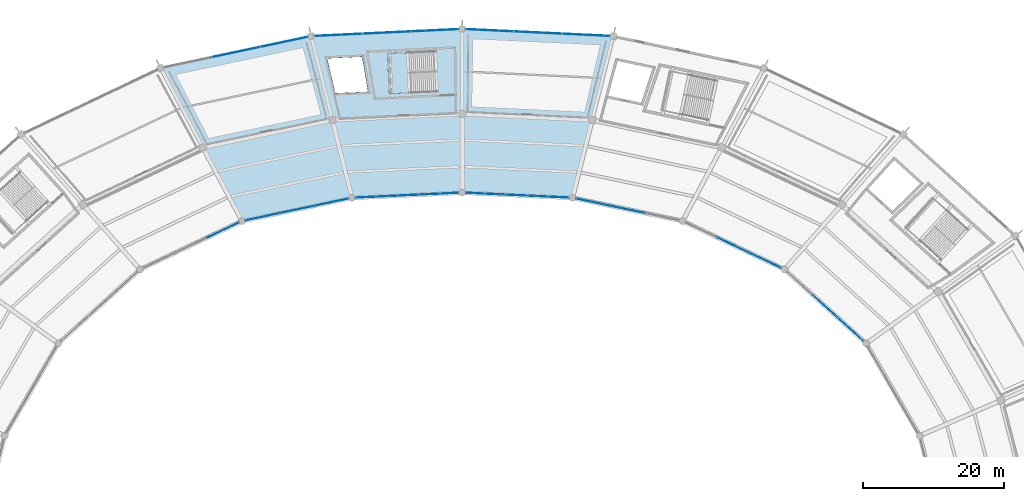
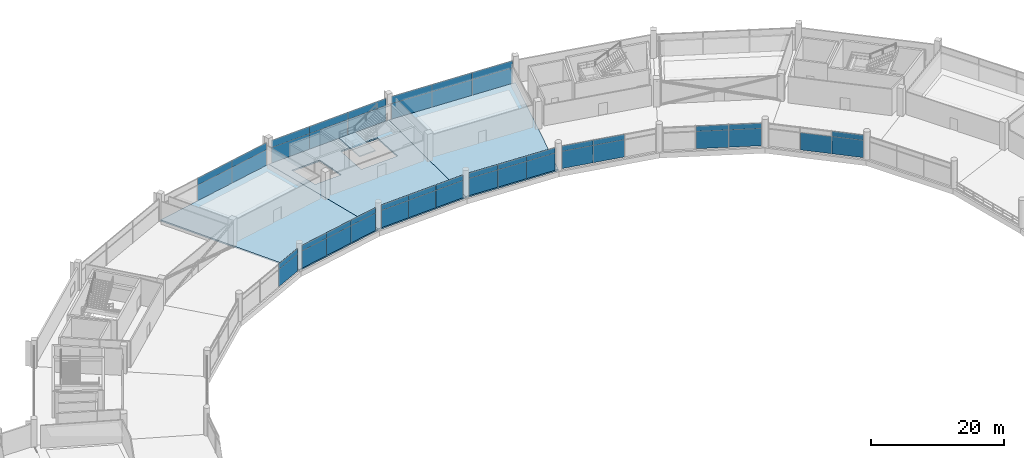
# One storey, part 142 of 184: 47 plates, 4 slabs, 11 elements without a shape of their own.
"""IFC4 building model written with IfcOpenShell, lengths in metres."""

from ifc_helpers import new_model, si_unit, direction, frame, origin, origin_2d, place, context, subcontext, project, spatial, polyline, rectangle, outline, extrude, material, layer, layer_set, type_object, element, aggregate, save


model = new_model("IFC4")

# Units and contexts
model_context = context("Model", 3, precision=1e-05, world=origin(), true_north=direction((0.0, 1.0)))
body_context = subcontext(model_context, "Body", "Model", "MODEL_VIEW")
ifc_project = project(units=[si_unit("LENGTHUNIT", "METRE"), si_unit("AREAUNIT", "SQUARE_METRE"), si_unit("VOLUMEUNIT", "CUBIC_METRE"), si_unit("PLANEANGLEUNIT", "RADIAN"), si_unit("MASSUNIT", "GRAM", prefix="KILO")], contexts=[model_context])

# Site, building, storey
site_placement = place(None, origin())
site = spatial("IfcSite", under=ifc_project, at=site_placement, CompositionType="ELEMENT")
building_placement = place(site_placement, origin())
building = spatial("IfcBuilding", under=site, at=building_placement, Name="Kazemori Nagisa Stadium", CompositionType="ELEMENT")
storey_placement = place(building_placement, frame((0.0, 0.0, 10.5400390625)))
storey = spatial("IfcBuildingStorey", under=building, at=storey_placement, Name="L02", CompositionType="ELEMENT", Elevation=10.5400390625)

# Curtain wall, plate
ifc_material_1 = material(Name="Anodised aluminium 6063-T5", Category="aluminium")
ifc_layer_1 = layer(ifc_material_1, 0.2099609375, Name="Anodised aluminium 6063-T5", Category="aluminium")
ifc_layer_set_1 = layer_set([ifc_layer_1], Name="Anodised aluminium 6063-T5")
curtain_wall_type_1 = type_object("IfcCurtainWallType", Name="CW_L02B_73", PredefinedType="USERDEFINED", material=ifc_layer_set_1)
curtain_wall_1_placement = place(storey_placement, origin())
curtain_wall_1 = element("IfcCurtainWall", 1, at=curtain_wall_1_placement, inside=storey, type_object=curtain_wall_type_1, Name="Unitised curtain wall CW-L02B-73 L02", ObjectType="UNITISED CURTAIN WALL", PredefinedType="USERDEFINED")
ifc_material_2 = material(Name="Anodised aluminium spandrel sheet", Category="aluminium")
ifc_layer_2 = layer(ifc_material_2, 0.044921875, Name="Anodised aluminium spandrel sheet", Category="aluminium")
ifc_layer_set_2 = layer_set([ifc_layer_2], Name="Anodised aluminium spandrel sheet")
plate_type_1 = type_object("IfcPlateType", Name="CWPanel_SPN_L02B_73", PredefinedType="CURTAIN_PANEL", material=ifc_layer_set_2)
plate_1_placement = place(storey_placement, frame((178.10302734375, 145.357666015625, 3.1845703125), z_axis=(0.0, 0.0, 1.0), x_axis=(-0.741350875443, 0.671117634607, 0.0)))
plate_1 = element("IfcPlate", 2, at=plate_1_placement, type_object=plate_type_1, Name="Curtain wall spandrel panel CW-L02B-73-S1", PredefinedType="CURTAIN_PANEL", context=body_context, shape_type="SweptSolid", body=[
    extrude(rectangle(XDim=4.83740234375, YDim=0.044921875, at=origin_2d()), origin(), (0.0, 0.0, 1.0), 1.005615234375),
])

# Curtain wall, plates
curtain_wall_2_placement = place(storey_placement, origin())
curtain_wall_2 = element("IfcCurtainWall", 3, at=curtain_wall_2_placement, inside=storey, type_object=curtain_wall_type_1, Name="Unitised curtain wall CW-L02B-73 L02", ObjectType="UNITISED CURTAIN WALL", PredefinedType="USERDEFINED")
plate_2_placement = place(storey_placement, frame((135.678955078125, 164.180419921875, 3.1845703125), z_axis=(0.0, 0.0, 1.0), x_axis=(-0.998884022476, 0.047230388971, 0.0)))
plate_2 = element("IfcPlate", 4, at=plate_2_placement, type_object=plate_type_1, Name="Curtain wall spandrel panel CW-L02B-73-S1", PredefinedType="CURTAIN_PANEL", context=body_context, shape_type="SweptSolid", body=[
    extrude(rectangle(XDim=4.83935546875, YDim=0.044921875, at=origin_2d()), origin(), (0.0, 0.0, 1.0), 1.005615234375),
])
plate_3_placement = place(storey_placement, frame((130.821044921875, 164.41015625, 3.1845703125), z_axis=(0.0, 0.0, 1.0), x_axis=(-0.998884022476, 0.047230388971, 0.0)))
plate_3 = element("IfcPlate", 5, at=plate_3_placement, type_object=plate_type_1, Name="Curtain wall spandrel panel CW-L02B-73-S2", PredefinedType="CURTAIN_PANEL", context=body_context, shape_type="SweptSolid", body=[
    extrude(rectangle(XDim=4.83935546875, YDim=0.044921875, at=origin_2d()), origin(), (0.0, 0.0, 1.0), 1.005615234375),
])
plate_4_placement = place(storey_placement, frame((125.96337890625, 164.639892578125, 3.1845703125), z_axis=(0.0, 0.0, 1.0), x_axis=(-0.998884022476, 0.047230388971, 0.0)))
plate_4 = element("IfcPlate", 6, at=plate_4_placement, type_object=plate_type_1, Name="Curtain wall spandrel panel CW-L02B-73-S3", PredefinedType="CURTAIN_PANEL", context=body_context, shape_type="SweptSolid", body=[
    extrude(rectangle(XDim=4.83935546875, YDim=0.044921875, at=origin_2d()), origin(), (0.0, 0.0, 1.0), 1.005615234375),
])

curtain_wall_3_placement = place(storey_placement, origin())
curtain_wall_3 = element("IfcCurtainWall", 7, at=curtain_wall_3_placement, inside=storey, type_object=curtain_wall_type_1, Name="Unitised curtain wall CW-L02B-73 L02", ObjectType="UNITISED CURTAIN WALL", PredefinedType="USERDEFINED")
plate_5_placement = place(storey_placement, frame((120.03662109375, 164.639892578125, 3.1845703125), z_axis=(0.0, 0.0, 1.0), x_axis=(-0.998884022476, -0.047230388971, 0.0)))
plate_5 = element("IfcPlate", 8, at=plate_5_placement, type_object=plate_type_1, Name="Curtain wall spandrel panel CW-L02B-73-S1", PredefinedType="CURTAIN_PANEL", context=body_context, shape_type="SweptSolid", body=[
    extrude(rectangle(XDim=4.83935546875, YDim=0.044921875, at=origin_2d()), origin(), (0.0, 0.0, 1.0), 1.005615234375),
])
plate_6_placement = place(storey_placement, frame((115.178955078125, 164.41015625, 3.1845703125), z_axis=(0.0, 0.0, 1.0), x_axis=(-0.998884022476, -0.047230388971, 0.0)))
plate_6 = element("IfcPlate", 9, at=plate_6_placement, type_object=plate_type_1, Name="Curtain wall spandrel panel CW-L02B-73-S2", PredefinedType="CURTAIN_PANEL", context=body_context, shape_type="SweptSolid", body=[
    extrude(rectangle(XDim=4.83935546875, YDim=0.044921875, at=origin_2d()), origin(), (0.0, 0.0, 1.0), 1.005615234375),
])
plate_7_placement = place(storey_placement, frame((110.321044921875, 164.180419921875, 3.1845703125), z_axis=(0.0, 0.0, 1.0), x_axis=(-0.998884022476, -0.047230388971, 0.0)))
plate_7 = element("IfcPlate", 10, at=plate_7_placement, type_object=plate_type_1, Name="Curtain wall spandrel panel CW-L02B-73-S3", PredefinedType="CURTAIN_PANEL", context=body_context, shape_type="SweptSolid", body=[
    extrude(rectangle(XDim=4.83935546875, YDim=0.044921875, at=origin_2d()), origin(), (0.0, 0.0, 1.0), 1.005615234375),
])

ifc_layer_3 = layer(ifc_material_1, 0.2099609375, Name="Anodised aluminium 6063-T5", Category="aluminium")
ifc_layer_set_3 = layer_set([ifc_layer_3], Name="Anodised aluminium 6063-T5")
curtain_wall_type_2 = type_object("IfcCurtainWallType", Name="CW_L02B_75", PredefinedType="USERDEFINED", material=ifc_layer_set_3)
curtain_wall_4_placement = place(storey_placement, origin())
curtain_wall_4 = element("IfcCurtainWall", 11, at=curtain_wall_4_placement, inside=storey, type_object=curtain_wall_type_2, Name="Unitised curtain wall CW-L02B-75 L02", ObjectType="UNITISED CURTAIN WALL", PredefinedType="USERDEFINED")
ifc_layer_4 = layer(ifc_material_2, 0.044921875, Name="Anodised aluminium spandrel sheet", Category="aluminium")
ifc_layer_set_4 = layer_set([ifc_layer_4], Name="Anodised aluminium spandrel sheet")
plate_type_2 = type_object("IfcPlateType", Name="CWPanel_SPN_L02B_75", PredefinedType="CURTAIN_PANEL", material=ifc_layer_set_4)
plate_8_placement = place(storey_placement, frame((165.96630859375, 155.17041015625, 3.1845703125), z_axis=(0.0, 0.0, 1.0), x_axis=(-0.903215892654, 0.429186499388, 0.0)))
plate_8 = element("IfcPlate", 12, at=plate_8_placement, type_object=plate_type_2, Name="Curtain wall spandrel panel CW-L02B-75-S1", PredefinedType="CURTAIN_PANEL", context=body_context, shape_type="SweptSolid", body=[
    extrude(rectangle(XDim=4.95166015625, YDim=0.044921875, at=origin_2d()), origin(), (0.0, 0.0, 1.0), 1.005615234375),
])
plate_9_placement = place(storey_placement, frame((161.471923828125, 157.305908203125, 3.1845703125), z_axis=(0.0, 0.0, 1.0), x_axis=(-0.903215892654, 0.429186499388, 0.0)))
plate_9 = element("IfcPlate", 13, at=plate_9_placement, type_object=plate_type_2, Name="Curtain wall spandrel panel CW-L02B-75-S2", PredefinedType="CURTAIN_PANEL", context=body_context, shape_type="SweptSolid", body=[
    extrude(rectangle(XDim=4.95166015625, YDim=0.044921875, at=origin_2d()), origin(), (0.0, 0.0, 1.0), 1.005615234375),
])

curtain_wall_5_placement = place(storey_placement, origin())
curtain_wall_5 = element("IfcCurtainWall", 14, at=curtain_wall_5_placement, inside=storey, type_object=curtain_wall_type_2, Name="Unitised curtain wall CW-L02B-75 L02", ObjectType="UNITISED CURTAIN WALL", PredefinedType="USERDEFINED")
plate_10_placement = place(storey_placement, frame((146.44482421875, 162.3896484375, 3.1845703125), z_axis=(0.0, 0.0, 1.0), x_axis=(-0.978344955407, 0.206981033502, 0.0)))
plate_10 = element("IfcPlate", 15, at=plate_10_placement, type_object=plate_type_2, Name="Curtain wall spandrel panel CW-L02B-75-S2", PredefinedType="CURTAIN_PANEL", context=body_context, shape_type="SweptSolid", body=[
    extrude(rectangle(XDim=4.936279296875, YDim=0.044921875, at=origin_2d()), origin(), (0.0, 0.0, 1.0), 1.005615234375),
])
plate_11_placement = place(storey_placement, frame((141.592041015625, 163.416259765625, 3.1845703125), z_axis=(0.0, 0.0, 1.0), x_axis=(-0.978344955407, 0.206981033502, 0.0)))
plate_11 = element("IfcPlate", 16, at=plate_11_placement, type_object=plate_type_2, Name="Curtain wall spandrel panel CW-L02B-75-S3", PredefinedType="CURTAIN_PANEL", context=body_context, shape_type="SweptSolid", body=[
    extrude(rectangle(XDim=4.936279296875, YDim=0.044921875, at=origin_2d()), origin(), (0.0, 0.0, 1.0), 1.005615234375),
])

curtain_wall_6_placement = place(storey_placement, origin())
curtain_wall_6 = element("IfcCurtainWall", 17, at=curtain_wall_6_placement, inside=storey, type_object=curtain_wall_type_2, Name="Unitised curtain wall CW-L02B-75 L02", ObjectType="UNITISED CURTAIN WALL", PredefinedType="USERDEFINED")
plate_12_placement = place(storey_placement, frame((104.407958984375, 163.416259765625, 3.1845703125), z_axis=(0.0, 0.0, 1.0), x_axis=(-0.978344955407, -0.206981033502, 0.0)))
plate_12 = element("IfcPlate", 18, at=plate_12_placement, type_object=plate_type_2, Name="Curtain wall spandrel panel CW-L02B-75-S1", PredefinedType="CURTAIN_PANEL", context=body_context, shape_type="SweptSolid", body=[
    extrude(rectangle(XDim=4.936279296875, YDim=0.044921875, at=origin_2d()), origin(), (0.0, 0.0, 1.0), 1.005615234375),
])
plate_13_placement = place(storey_placement, frame((99.55517578125, 162.3896484375, 3.1845703125), z_axis=(0.0, 0.0, 1.0), x_axis=(-0.978344955407, -0.206981033502, 0.0)))
plate_13 = element("IfcPlate", 19, at=plate_13_placement, type_object=plate_type_2, Name="Curtain wall spandrel panel CW-L02B-75-S2", PredefinedType="CURTAIN_PANEL", context=body_context, shape_type="SweptSolid", body=[
    extrude(rectangle(XDim=4.936279296875, YDim=0.044921875, at=origin_2d()), origin(), (0.0, 0.0, 1.0), 1.005615234375),
])
plate_14_placement = place(storey_placement, frame((94.702392578125, 161.363037109375, 3.1845703125), z_axis=(0.0, 0.0, 1.0), x_axis=(-0.978344955407, -0.206981033502, 0.0)))
plate_14 = element("IfcPlate", 20, at=plate_14_placement, type_object=plate_type_2, Name="Curtain wall spandrel panel CW-L02B-75-S3", PredefinedType="CURTAIN_PANEL", context=body_context, shape_type="SweptSolid", body=[
    extrude(rectangle(XDim=4.936279296875, YDim=0.044921875, at=origin_2d()), origin(), (0.0, 0.0, 1.0), 1.005615234375),
])

# Curtain wall, plate
curtain_wall_7_placement = place(storey_placement, origin())
curtain_wall_7 = element("IfcCurtainWall", 21, at=curtain_wall_7_placement, inside=storey, type_object=curtain_wall_type_2, Name="Unitised curtain wall CW-L02B-75 L02", ObjectType="UNITISED CURTAIN WALL", PredefinedType="USERDEFINED")
plate_15_placement = place(storey_placement, frame((89.022216796875, 159.44140625, 3.1845703125), z_axis=(0.0, 0.0, 1.0), x_axis=(-0.903215892654, -0.429186499388, 0.0)))
plate_15 = element("IfcPlate", 22, at=plate_15_placement, type_object=plate_type_2, Name="Curtain wall spandrel panel CW-L02B-75-S1", PredefinedType="CURTAIN_PANEL", context=body_context, shape_type="SweptSolid", body=[
    extrude(rectangle(XDim=4.95166015625, YDim=0.044921875, at=origin_2d()), origin(), (0.0, 0.0, 1.0), 1.005615234375),
])

# Curtain wall, plates
ifc_layer_5 = layer(ifc_material_1, 0.2099609375, Name="Anodised aluminium 6063-T5", Category="aluminium")
ifc_layer_set_5 = layer_set([ifc_layer_5], Name="Anodised aluminium 6063-T5")
curtain_wall_type_3 = type_object("IfcCurtainWallType", Name="CW_L02R3_103", PredefinedType="USERDEFINED", material=ifc_layer_set_5)
curtain_wall_8_placement = place(storey_placement, origin())
curtain_wall_8 = element("IfcCurtainWall", 23, at=curtain_wall_8_placement, inside=storey, type_object=curtain_wall_type_3, Name="Unitised curtain wall CW-L02R3-103 L02", ObjectType="UNITISED CURTAIN WALL", PredefinedType="USERDEFINED")
ifc_layer_6 = layer(ifc_material_2, 0.048095703125, Name="Anodised aluminium spandrel sheet", Category="aluminium")
ifc_layer_set_6 = layer_set([ifc_layer_6], Name="Anodised aluminium spandrel sheet")
plate_type_3 = type_object("IfcPlateType", Name="CWPanel_SPN_L02R3_103", PredefinedType="CURTAIN_PANEL", material=ifc_layer_set_6)
plate_16_placement = place(storey_placement, frame((140.5400390625, 187.170654296875, 2.84912109375), z_axis=(0.0, 0.0, 1.0), x_axis=(-0.998884022476, 0.047230388971, 0.0)))
plate_16 = element("IfcPlate", 24, at=plate_16_placement, type_object=plate_type_3, Name="Curtain wall spandrel panel CW-L02R3-103-S1", PredefinedType="CURTAIN_PANEL", context=body_context, shape_type="SweptSolid", body=[
    extrude(rectangle(XDim=6.81005859375, YDim=0.048095703125, at=origin_2d()), origin(), (0.0, 0.0, 1.0), 1.3408203125),
])
plate_17_placement = place(storey_placement, frame((133.7138671875, 187.493408203125, 2.84912109375), z_axis=(0.0, 0.0, 1.0), x_axis=(-0.998884022476, 0.047230388971, 0.0)))
plate_17 = element("IfcPlate", 25, at=plate_17_placement, type_object=plate_type_3, Name="Curtain wall spandrel panel CW-L02R3-103-S2", PredefinedType="CURTAIN_PANEL", context=body_context, shape_type="SweptSolid", body=[
    extrude(rectangle(XDim=6.81005859375, YDim=0.048095703125, at=origin_2d()), origin(), (0.0, 0.0, 1.0), 1.3408203125),
])
plate_18_placement = place(storey_placement, frame((126.8876953125, 187.816162109375, 2.84912109375), z_axis=(0.0, 0.0, 1.0), x_axis=(-0.998884022476, 0.047230388971, 0.0)))
plate_18 = element("IfcPlate", 26, at=plate_18_placement, type_object=plate_type_3, Name="Curtain wall spandrel panel CW-L02R3-103-S3", PredefinedType="CURTAIN_PANEL", context=body_context, shape_type="SweptSolid", body=[
    extrude(rectangle(XDim=6.81005859375, YDim=0.048095703125, at=origin_2d()), origin(), (0.0, 0.0, 1.0), 1.3408203125),
])

curtain_wall_9_placement = place(storey_placement, origin())
curtain_wall_9 = element("IfcCurtainWall", 27, at=curtain_wall_9_placement, inside=storey, type_object=curtain_wall_type_3, Name="Unitised curtain wall CW-L02R3-103 L02", ObjectType="UNITISED CURTAIN WALL", PredefinedType="USERDEFINED")
plate_19_placement = place(storey_placement, frame((119.1123046875, 187.816162109375, 2.84912109375), z_axis=(0.0, 0.0, 1.0), x_axis=(-0.998884022476, -0.047230388971, 0.0)))
plate_19 = element("IfcPlate", 28, at=plate_19_placement, type_object=plate_type_3, Name="Curtain wall spandrel panel CW-L02R3-103-S1", PredefinedType="CURTAIN_PANEL", context=body_context, shape_type="SweptSolid", body=[
    extrude(rectangle(XDim=6.81005859375, YDim=0.048095703125, at=origin_2d()), origin(), (0.0, 0.0, 1.0), 1.3408203125),
])
plate_20_placement = place(storey_placement, frame((112.2861328125, 187.493408203125, 2.84912109375), z_axis=(0.0, 0.0, 1.0), x_axis=(-0.998884022476, -0.047230388971, 0.0)))
plate_20 = element("IfcPlate", 29, at=plate_20_placement, type_object=plate_type_3, Name="Curtain wall spandrel panel CW-L02R3-103-S2", PredefinedType="CURTAIN_PANEL", context=body_context, shape_type="SweptSolid", body=[
    extrude(rectangle(XDim=6.81005859375, YDim=0.048095703125, at=origin_2d()), origin(), (0.0, 0.0, 1.0), 1.3408203125),
])
plate_21_placement = place(storey_placement, frame((105.4599609375, 187.170654296875, 2.84912109375), z_axis=(0.0, 0.0, 1.0), x_axis=(-0.998884022476, -0.047230388971, 0.0)))
plate_21 = element("IfcPlate", 30, at=plate_21_placement, type_object=plate_type_3, Name="Curtain wall spandrel panel CW-L02R3-103-S3", PredefinedType="CURTAIN_PANEL", context=body_context, shape_type="SweptSolid", body=[
    extrude(rectangle(XDim=6.81005859375, YDim=0.048095703125, at=origin_2d()), origin(), (0.0, 0.0, 1.0), 1.3408203125),
])

ifc_layer_7 = layer(ifc_material_1, 0.2099609375, Name="Anodised aluminium 6063-T5", Category="aluminium")
ifc_layer_set_7 = layer_set([ifc_layer_7], Name="Anodised aluminium 6063-T5")
curtain_wall_type_4 = type_object("IfcCurtainWallType", Name="CW_L02R3_105", PredefinedType="USERDEFINED", material=ifc_layer_set_7)
curtain_wall_10_placement = place(storey_placement, origin())
curtain_wall_10 = element("IfcCurtainWall", 31, at=curtain_wall_10_placement, inside=storey, type_object=curtain_wall_type_4, Name="Unitised curtain wall CW-L02R3-105 L02", ObjectType="UNITISED CURTAIN WALL", PredefinedType="USERDEFINED")
ifc_layer_8 = layer(ifc_material_2, 0.048095703125, Name="Anodised aluminium spandrel sheet", Category="aluminium")
ifc_layer_set_8 = layer_set([ifc_layer_8], Name="Anodised aluminium spandrel sheet")
plate_type_4 = type_object("IfcPlateType", Name="CWPanel_SPN_L02R3_105", PredefinedType="CURTAIN_PANEL", material=ifc_layer_set_8)
plate_22_placement = place(storey_placement, frame((97.69970703125, 186.16748046875, 2.84912109375), z_axis=(0.0, 0.0, 1.0), x_axis=(-0.978344955407, -0.206981033502, 0.0)))
plate_22 = element("IfcPlate", 32, at=plate_22_placement, type_object=plate_type_4, Name="Curtain wall spandrel panel CW-L02R3-105-S1", PredefinedType="CURTAIN_PANEL", context=body_context, shape_type="SweptSolid", body=[
    extrude(rectangle(XDim=6.942626953125, YDim=0.048095703125, at=origin_2d()), origin(), (0.0, 0.0, 1.0), 1.3408203125),
])
plate_23_placement = place(storey_placement, frame((90.8837890625, 184.7255859375, 2.84912109375), z_axis=(0.0, 0.0, 1.0), x_axis=(-0.978344955407, -0.206981033502, 0.0)))
plate_23 = element("IfcPlate", 33, at=plate_23_placement, type_object=plate_type_4, Name="Curtain wall spandrel panel CW-L02R3-105-S2", PredefinedType="CURTAIN_PANEL", context=body_context, shape_type="SweptSolid", body=[
    extrude(rectangle(XDim=6.942626953125, YDim=0.048095703125, at=origin_2d()), origin(), (0.0, 0.0, 1.0), 1.3408203125),
])

# Plate
ifc_material_3 = material(Name="Low-e laminated double glazing", Category="glass")
ifc_layer_9 = layer(ifc_material_3, 0.031982421875, Name="Low-e laminated double glazing", Category="glass")
ifc_layer_set_9 = layer_set([ifc_layer_9], Name="Low-e laminated double glazing")
plate_type_5 = type_object("IfcPlateType", Name="CWPanel_VIS_L02B_73", PredefinedType="CURTAIN_PANEL", material=ifc_layer_set_9)
plate_24_placement = place(storey_placement, frame((178.10302734375, 145.357666015625, 0.0), z_axis=(0.0, 0.0, 1.0), x_axis=(-0.741350875443, 0.671117634607, 0.0)))
plate_24 = element("IfcPlate", 34, at=plate_24_placement, type_object=plate_type_5, Name="Curtain wall vision panel CW-L02B-73-V1", PredefinedType="CURTAIN_PANEL", context=body_context, shape_type="SweptSolid", body=[
    extrude(rectangle(XDim=4.83740234375, YDim=0.031982421875, at=origin_2d()), origin(), (0.0, 0.0, 1.0), 3.184326171875),
])

plate_25_placement = place(storey_placement, frame((174.4990234375, 148.6201171875, 0.0), z_axis=(0.0, 0.0, 1.0), x_axis=(-0.741350875443, 0.671117634607, 0.0)))
plate_25 = element("IfcPlate", 35, at=plate_25_placement, type_object=plate_type_5, Name="Curtain wall vision panel CW-L02B-73-V2", PredefinedType="CURTAIN_PANEL", context=body_context, shape_type="SweptSolid", body=[
    extrude(rectangle(XDim=4.83740234375, YDim=0.031982421875, at=origin_2d()), origin(), (0.0, 0.0, 1.0), 3.184326171875),
])

aggregate(curtain_wall_1, [plate_24, plate_1, plate_25])

plate_26_placement = place(storey_placement, frame((135.678955078125, 164.180419921875, 0.0), z_axis=(0.0, 0.0, 1.0), x_axis=(-0.998884022476, 0.047230388971, 0.0)))
plate_26 = element("IfcPlate", 36, at=plate_26_placement, type_object=plate_type_5, Name="Curtain wall vision panel CW-L02B-73-V1", PredefinedType="CURTAIN_PANEL", context=body_context, shape_type="SweptSolid", body=[
    extrude(rectangle(XDim=4.83935546875, YDim=0.031982421875, at=origin_2d()), origin(), (0.0, 0.0, 1.0), 3.184326171875),
])

plate_27_placement = place(storey_placement, frame((130.821044921875, 164.41015625, 0.0), z_axis=(0.0, 0.0, 1.0), x_axis=(-0.998884022476, 0.047230388971, 0.0)))
plate_27 = element("IfcPlate", 37, at=plate_27_placement, type_object=plate_type_5, Name="Curtain wall vision panel CW-L02B-73-V2", PredefinedType="CURTAIN_PANEL", context=body_context, shape_type="SweptSolid", body=[
    extrude(rectangle(XDim=4.83935546875, YDim=0.031982421875, at=origin_2d()), origin(), (0.0, 0.0, 1.0), 3.184326171875),
])

plate_28_placement = place(storey_placement, frame((125.96337890625, 164.639892578125, 0.0), z_axis=(0.0, 0.0, 1.0), x_axis=(-0.998884022476, 0.047230388971, 0.0)))
plate_28 = element("IfcPlate", 38, at=plate_28_placement, type_object=plate_type_5, Name="Curtain wall vision panel CW-L02B-73-V3", PredefinedType="CURTAIN_PANEL", context=body_context, shape_type="SweptSolid", body=[
    extrude(rectangle(XDim=4.83935546875, YDim=0.031982421875, at=origin_2d()), origin(), (0.0, 0.0, 1.0), 3.184326171875),
])

aggregate(curtain_wall_2, [plate_26, plate_2, plate_27, plate_3, plate_28, plate_4])

plate_29_placement = place(storey_placement, frame((120.03662109375, 164.639892578125, 0.0), z_axis=(0.0, 0.0, 1.0), x_axis=(-0.998884022476, -0.047230388971, 0.0)))
plate_29 = element("IfcPlate", 39, at=plate_29_placement, type_object=plate_type_5, Name="Curtain wall vision panel CW-L02B-73-V1", PredefinedType="CURTAIN_PANEL", context=body_context, shape_type="SweptSolid", body=[
    extrude(rectangle(XDim=4.83935546875, YDim=0.031982421875, at=origin_2d()), origin(), (0.0, 0.0, 1.0), 3.184326171875),
])

plate_30_placement = place(storey_placement, frame((115.178955078125, 164.41015625, 0.0), z_axis=(0.0, 0.0, 1.0), x_axis=(-0.998884022476, -0.047230388971, 0.0)))
plate_30 = element("IfcPlate", 40, at=plate_30_placement, type_object=plate_type_5, Name="Curtain wall vision panel CW-L02B-73-V2", PredefinedType="CURTAIN_PANEL", context=body_context, shape_type="SweptSolid", body=[
    extrude(rectangle(XDim=4.83935546875, YDim=0.031982421875, at=origin_2d()), origin(), (0.0, 0.0, 1.0), 3.184326171875),
])

plate_31_placement = place(storey_placement, frame((110.321044921875, 164.180419921875, 0.0), z_axis=(0.0, 0.0, 1.0), x_axis=(-0.998884022476, -0.047230388971, 0.0)))
plate_31 = element("IfcPlate", 41, at=plate_31_placement, type_object=plate_type_5, Name="Curtain wall vision panel CW-L02B-73-V3", PredefinedType="CURTAIN_PANEL", context=body_context, shape_type="SweptSolid", body=[
    extrude(rectangle(XDim=4.83935546875, YDim=0.031982421875, at=origin_2d()), origin(), (0.0, 0.0, 1.0), 3.184326171875),
])

aggregate(curtain_wall_3, [plate_29, plate_5, plate_30, plate_6, plate_31, plate_7])

ifc_layer_10 = layer(ifc_material_3, 0.031982421875, Name="Low-e laminated double glazing", Category="glass")
ifc_layer_set_10 = layer_set([ifc_layer_10], Name="Low-e laminated double glazing")
plate_type_6 = type_object("IfcPlateType", Name="CWPanel_VIS_L02B_75", PredefinedType="CURTAIN_PANEL", material=ifc_layer_set_10)
plate_32_placement = place(storey_placement, frame((165.96630859375, 155.17041015625, 0.0), z_axis=(0.0, 0.0, 1.0), x_axis=(-0.903215892654, 0.429186499388, 0.0)))
plate_32 = element("IfcPlate", 42, at=plate_32_placement, type_object=plate_type_6, Name="Curtain wall vision panel CW-L02B-75-V1", PredefinedType="CURTAIN_PANEL", context=body_context, shape_type="SweptSolid", body=[
    extrude(rectangle(XDim=4.95166015625, YDim=0.031982421875, at=origin_2d()), origin(), (0.0, 0.0, 1.0), 3.184326171875),
])

plate_33_placement = place(storey_placement, frame((161.471923828125, 157.305908203125, 0.0), z_axis=(0.0, 0.0, 1.0), x_axis=(-0.903215892654, 0.429186499388, 0.0)))
plate_33 = element("IfcPlate", 43, at=plate_33_placement, type_object=plate_type_6, Name="Curtain wall vision panel CW-L02B-75-V2", PredefinedType="CURTAIN_PANEL", context=body_context, shape_type="SweptSolid", body=[
    extrude(rectangle(XDim=4.95166015625, YDim=0.031982421875, at=origin_2d()), origin(), (0.0, 0.0, 1.0), 3.184326171875),
])

aggregate(curtain_wall_4, [plate_32, plate_8, plate_33, plate_9])

plate_34_placement = place(storey_placement, frame((146.44482421875, 162.3896484375, 0.0), z_axis=(0.0, 0.0, 1.0), x_axis=(-0.978344955407, 0.206981033502, 0.0)))
plate_34 = element("IfcPlate", 44, at=plate_34_placement, type_object=plate_type_6, Name="Curtain wall vision panel CW-L02B-75-V2", PredefinedType="CURTAIN_PANEL", context=body_context, shape_type="SweptSolid", body=[
    extrude(rectangle(XDim=4.936279296875, YDim=0.031982421875, at=origin_2d()), origin(), (0.0, 0.0, 1.0), 3.184326171875),
])

plate_35_placement = place(storey_placement, frame((141.592041015625, 163.416259765625, 0.0), z_axis=(0.0, 0.0, 1.0), x_axis=(-0.978344955407, 0.206981033502, 0.0)))
plate_35 = element("IfcPlate", 45, at=plate_35_placement, type_object=plate_type_6, Name="Curtain wall vision panel CW-L02B-75-V3", PredefinedType="CURTAIN_PANEL", context=body_context, shape_type="SweptSolid", body=[
    extrude(rectangle(XDim=4.936279296875, YDim=0.031982421875, at=origin_2d()), origin(), (0.0, 0.0, 1.0), 3.184326171875),
])

aggregate(curtain_wall_5, [plate_34, plate_10, plate_35, plate_11])

plate_36_placement = place(storey_placement, frame((104.407958984375, 163.416259765625, 0.0), z_axis=(0.0, 0.0, 1.0), x_axis=(-0.978344955407, -0.206981033502, 0.0)))
plate_36 = element("IfcPlate", 46, at=plate_36_placement, type_object=plate_type_6, Name="Curtain wall vision panel CW-L02B-75-V1", PredefinedType="CURTAIN_PANEL", context=body_context, shape_type="SweptSolid", body=[
    extrude(rectangle(XDim=4.936279296875, YDim=0.031982421875, at=origin_2d()), origin(), (0.0, 0.0, 1.0), 3.184326171875),
])

plate_37_placement = place(storey_placement, frame((99.55517578125, 162.3896484375, 0.0), z_axis=(0.0, 0.0, 1.0), x_axis=(-0.978344955407, -0.206981033502, 0.0)))
plate_37 = element("IfcPlate", 47, at=plate_37_placement, type_object=plate_type_6, Name="Curtain wall vision panel CW-L02B-75-V2", PredefinedType="CURTAIN_PANEL", context=body_context, shape_type="SweptSolid", body=[
    extrude(rectangle(XDim=4.936279296875, YDim=0.031982421875, at=origin_2d()), origin(), (0.0, 0.0, 1.0), 3.184326171875),
])

plate_38_placement = place(storey_placement, frame((94.702392578125, 161.363037109375, 0.0), z_axis=(0.0, 0.0, 1.0), x_axis=(-0.978344955407, -0.206981033502, 0.0)))
plate_38 = element("IfcPlate", 48, at=plate_38_placement, type_object=plate_type_6, Name="Curtain wall vision panel CW-L02B-75-V3", PredefinedType="CURTAIN_PANEL", context=body_context, shape_type="SweptSolid", body=[
    extrude(rectangle(XDim=4.936279296875, YDim=0.031982421875, at=origin_2d()), origin(), (0.0, 0.0, 1.0), 3.184326171875),
])

aggregate(curtain_wall_6, [plate_36, plate_12, plate_37, plate_13, plate_38, plate_14])

plate_39_placement = place(storey_placement, frame((89.022216796875, 159.44140625, 0.0), z_axis=(0.0, 0.0, 1.0), x_axis=(-0.903215892654, -0.429186499388, 0.0)))
plate_39 = element("IfcPlate", 49, at=plate_39_placement, type_object=plate_type_6, Name="Curtain wall vision panel CW-L02B-75-V1", PredefinedType="CURTAIN_PANEL", context=body_context, shape_type="SweptSolid", body=[
    extrude(rectangle(XDim=4.95166015625, YDim=0.031982421875, at=origin_2d()), origin(), (0.0, 0.0, 1.0), 3.184326171875),
])

aggregate(curtain_wall_7, [plate_39, plate_15])

ifc_layer_11 = layer(ifc_material_3, 0.030029296875, Name="Low-e laminated double glazing", Category="glass")
ifc_layer_set_11 = layer_set([ifc_layer_11], Name="Low-e laminated double glazing")
plate_type_7 = type_object("IfcPlateType", Name="CWPanel_VIS_L02R3_103", PredefinedType="CURTAIN_PANEL", material=ifc_layer_set_11)
plate_40_placement = place(storey_placement, frame((140.5400390625, 187.170654296875, 0.0), z_axis=(0.0, 0.0, 1.0), x_axis=(-0.998884022476, 0.047230388971, 0.0)))
plate_40 = element("IfcPlate", 50, at=plate_40_placement, type_object=plate_type_7, Name="Curtain wall vision panel CW-L02R3-103-V1", PredefinedType="CURTAIN_PANEL", context=body_context, shape_type="SweptSolid", body=[
    extrude(rectangle(XDim=6.81005859375, YDim=0.030029296875, at=origin_2d()), origin(), (0.0, 0.0, 1.0), 2.84912109375),
])

plate_41_placement = place(storey_placement, frame((133.7138671875, 187.493408203125, 0.0), z_axis=(0.0, 0.0, 1.0), x_axis=(-0.998884022476, 0.047230388971, 0.0)))
plate_41 = element("IfcPlate", 51, at=plate_41_placement, type_object=plate_type_7, Name="Curtain wall vision panel CW-L02R3-103-V2", PredefinedType="CURTAIN_PANEL", context=body_context, shape_type="SweptSolid", body=[
    extrude(rectangle(XDim=6.81005859375, YDim=0.030029296875, at=origin_2d()), origin(), (0.0, 0.0, 1.0), 2.84912109375),
])

plate_42_placement = place(storey_placement, frame((126.8876953125, 187.816162109375, 0.0), z_axis=(0.0, 0.0, 1.0), x_axis=(-0.998884022476, 0.047230388971, 0.0)))
plate_42 = element("IfcPlate", 52, at=plate_42_placement, type_object=plate_type_7, Name="Curtain wall vision panel CW-L02R3-103-V3", PredefinedType="CURTAIN_PANEL", context=body_context, shape_type="SweptSolid", body=[
    extrude(rectangle(XDim=6.81005859375, YDim=0.030029296875, at=origin_2d()), origin(), (0.0, 0.0, 1.0), 2.84912109375),
])

aggregate(curtain_wall_8, [plate_40, plate_16, plate_41, plate_17, plate_42, plate_18])

plate_43_placement = place(storey_placement, frame((119.1123046875, 187.816162109375, 0.0), z_axis=(0.0, 0.0, 1.0), x_axis=(-0.998884022476, -0.047230388971, 0.0)))
plate_43 = element("IfcPlate", 53, at=plate_43_placement, type_object=plate_type_7, Name="Curtain wall vision panel CW-L02R3-103-V1", PredefinedType="CURTAIN_PANEL", context=body_context, shape_type="SweptSolid", body=[
    extrude(rectangle(XDim=6.81005859375, YDim=0.030029296875, at=origin_2d()), origin(), (0.0, 0.0, 1.0), 2.84912109375),
])

plate_44_placement = place(storey_placement, frame((112.2861328125, 187.493408203125, 0.0), z_axis=(0.0, 0.0, 1.0), x_axis=(-0.998884022476, -0.047230388971, 0.0)))
plate_44 = element("IfcPlate", 54, at=plate_44_placement, type_object=plate_type_7, Name="Curtain wall vision panel CW-L02R3-103-V2", PredefinedType="CURTAIN_PANEL", context=body_context, shape_type="SweptSolid", body=[
    extrude(rectangle(XDim=6.81005859375, YDim=0.030029296875, at=origin_2d()), origin(), (0.0, 0.0, 1.0), 2.84912109375),
])

plate_45_placement = place(storey_placement, frame((105.4599609375, 187.170654296875, 0.0), z_axis=(0.0, 0.0, 1.0), x_axis=(-0.998884022476, -0.047230388971, 0.0)))
plate_45 = element("IfcPlate", 55, at=plate_45_placement, type_object=plate_type_7, Name="Curtain wall vision panel CW-L02R3-103-V3", PredefinedType="CURTAIN_PANEL", context=body_context, shape_type="SweptSolid", body=[
    extrude(rectangle(XDim=6.81005859375, YDim=0.030029296875, at=origin_2d()), origin(), (0.0, 0.0, 1.0), 2.84912109375),
])

aggregate(curtain_wall_9, [plate_43, plate_19, plate_44, plate_20, plate_45, plate_21])

ifc_layer_12 = layer(ifc_material_3, 0.030029296875, Name="Low-e laminated double glazing", Category="glass")
ifc_layer_set_12 = layer_set([ifc_layer_12], Name="Low-e laminated double glazing")
plate_type_8 = type_object("IfcPlateType", Name="CWPanel_VIS_L02R3_105", PredefinedType="CURTAIN_PANEL", material=ifc_layer_set_12)
plate_46_placement = place(storey_placement, frame((97.69970703125, 186.16748046875, 0.0), z_axis=(0.0, 0.0, 1.0), x_axis=(-0.978344955407, -0.206981033502, 0.0)))
plate_46 = element("IfcPlate", 56, at=plate_46_placement, type_object=plate_type_8, Name="Curtain wall vision panel CW-L02R3-105-V1", PredefinedType="CURTAIN_PANEL", context=body_context, shape_type="SweptSolid", body=[
    extrude(rectangle(XDim=6.942626953125, YDim=0.030029296875, at=origin_2d()), origin(), (0.0, 0.0, 1.0), 2.84912109375),
])

plate_47_placement = place(storey_placement, frame((90.8837890625, 184.7255859375, 0.0), z_axis=(0.0, 0.0, 1.0), x_axis=(-0.978344955407, -0.206981033502, 0.0)))
plate_47 = element("IfcPlate", 57, at=plate_47_placement, type_object=plate_type_8, Name="Curtain wall vision panel CW-L02R3-105-V2", PredefinedType="CURTAIN_PANEL", context=body_context, shape_type="SweptSolid", body=[
    extrude(rectangle(XDim=6.942626953125, YDim=0.030029296875, at=origin_2d()), origin(), (0.0, 0.0, 1.0), 2.84912109375),
])

aggregate(curtain_wall_10, [plate_46, plate_22, plate_47, plate_23])

# Slabs
ifc_material_4 = material(Name="Concrete C36/45 (Fc36)", Category="concrete")
ifc_layer_13 = layer(ifc_material_4, 0.260009765625, Name="Concrete C36/45 (Fc36)", Category="concrete")
ifc_layer_set_13 = layer_set([ifc_layer_13], Name="Concrete C36/45 (Fc36)")
slab_type_1 = type_object("IfcSlabType", Name="Slab_SL-CONC-260", PredefinedType="FLOOR", material=ifc_layer_set_13)
slab_1_placement = place(storey_placement, frame((0.0, 0.0, -0.260009765625)))
element("IfcSlab", 58, at=slab_1_placement, inside=storey, type_object=slab_type_1, Name="Concourse floor slab L02 bay 07", PredefinedType="FLOOR", context=body_context, shape_type="SweptSolid", body=[
    extrude(outline(polyline([(138.64208984375, 164.040283203125), (123.0, 164.780029296875), (123.0, 188.0), (144.427734375, 186.98681640625), (138.64208984375, 164.040283203125)])), origin(), (0.0, 0.0, 1.0), 0.260009765625),
])
slab_2_placement = place(storey_placement, frame((0.0, 0.0, -0.260009765625)))
element("IfcSlab", 59, at=slab_2_placement, inside=storey, type_object=slab_type_1, Name="Concourse floor slab L02 bay 08", PredefinedType="FLOOR", context=body_context, shape_type="SweptSolid", body=[
    extrude(outline(polyline([(123.0, 164.780029296875), (107.35791015625, 164.040283203125), (101.572265625, 186.98681640625), (123.0, 188.0), (123.0, 164.780029296875)]), holes=[polyline([(119.452392578125, 179.138427734375), (112.934814453125, 178.830322265625), (112.66552734375, 184.52392578125), (119.18310546875, 184.832275390625), (119.452392578125, 179.138427734375)]), polyline([(109.63427734375, 179.112060546875), (104.9853515625, 178.89208984375), (103.82958984375, 183.825439453125), (108.77685546875, 184.0595703125), (109.63427734375, 179.112060546875)])]), origin(), (0.0, 0.0, 1.0), 0.260009765625),
])
slab_3_placement = place(storey_placement, frame((0.0, 0.0, -0.260009765625)))
element("IfcSlab", 60, at=slab_3_placement, inside=storey, type_object=slab_type_1, Name="Concourse floor slab L02 bay 09", PredefinedType="FLOOR", context=body_context, shape_type="SweptSolid", body=[
    extrude(outline(polyline([(107.35791015625, 164.040283203125), (91.75244140625, 160.739013671875), (80.1953125, 182.46435546875), (101.572265625, 186.98681640625), (107.35791015625, 164.040283203125)])), origin(), (0.0, 0.0, 1.0), 0.260009765625),
])

# Stair, slab
stair_type = type_object("IfcStairType", Name="Stair_CORE_30", PredefinedType="TWO_STRAIGHT_RUN_STAIR", material=ifc_material_4)
stair_placement = place(storey_placement, origin())
stair = element("IfcStair", 61, at=stair_placement, inside=storey, type_object=stair_type, Name="Exit stair ST05 L02", PredefinedType="TWO_STRAIGHT_RUN_STAIR")
ifc_layer_14 = layer(ifc_material_4, 0.199951171875, Name="Concrete C36/45 (Fc36)", Category="concrete")
ifc_layer_set_14 = layer_set([ifc_layer_14], Name="Concrete C36/45 (Fc36)")
slab_type_2 = type_object("IfcSlabType", Name="Slab_SL-LND-200", PredefinedType="LANDING", material=ifc_layer_set_14)
slab_4_placement = place(storey_placement, frame((0.0, 0.0, 2.349853515625)))
slab_4 = element("IfcSlab", 62, at=slab_4_placement, type_object=slab_type_2, Name="Exit stair ST05 L02 mid-landing", PredefinedType="LANDING", context=body_context, shape_type="SweptSolid", body=[
    extrude(outline(polyline([(115.496826171875, 178.951416015625), (112.650146484375, 178.81689453125), (112.380859375, 184.510498046875), (115.2275390625, 184.645263671875), (115.496826171875, 178.951416015625)])), origin(), (0.0, 0.0, 1.0), 0.2001953125),
])
aggregate(stair, [slab_4])

save(model, "model.ifc")
